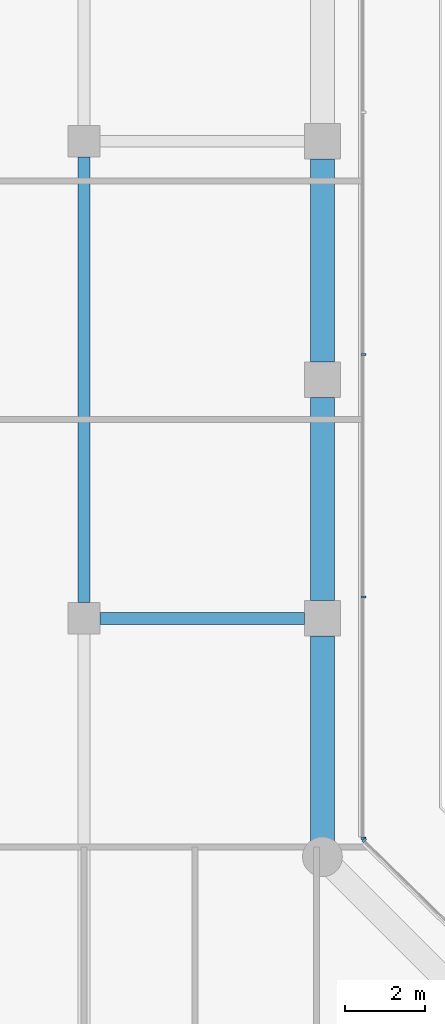
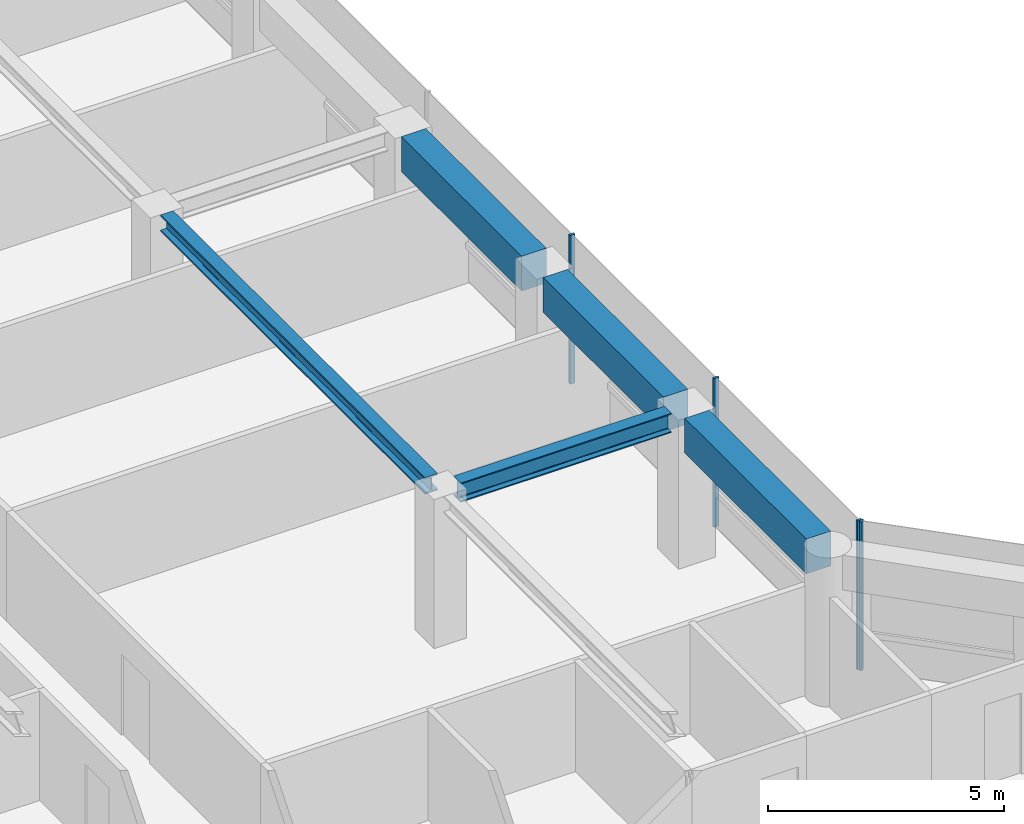
# One storey, part 9 of 21: 5 beams, 4 members, 2 elements without a shape of their own.
"""IFC4 building model written with IfcOpenShell, lengths in metres."""

import ifcopenshell
import ifcopenshell.guid

model = None  # the IFC model being written
_history = None  # IfcOwnerHistory: only IFC2X3 demands one
_inside = {}  # id of a spatial element -> (the spatial element, [elements in it])
_under = {}  # id of a project, library or spatial element -> (it, [spatial elements below it])
_declared = {}  # id of a project -> (the project, [libraries it declares])
_typed = {}  # id of a type object -> (the type object, [elements of that type])
_made_of = {}  # id of a material, layer set ... -> (it, [elements and type objects made of it])


def new_model(schema):
    """Start an empty IFC model of exactly this schema.

    Asked for "IFC4X3", IfcOpenShell would pick the latest addendum, in which some entities
    have other attributes; the version numbers below select the first issue.
    IFC2X3 requires an IfcOwnerHistory on every rooted entity: one is made here for all.
    """
    global model, _history
    if schema == "IFC4X3":
        model = ifcopenshell.file(schema_version=(4, 3, 0, 0))
    else:
        model = ifcopenshell.file(schema=schema)
    _inside.clear()
    _under.clear()
    _declared.clear()
    _typed.clear()
    _made_of.clear()
    _history = None
    if model.schema == "IFC2X3":
        org = make("IfcOrganization", Name="unknown")
        user = make(
            "IfcPersonAndOrganization",
            ThePerson=make("IfcPerson", FamilyName="unknown"),
            TheOrganization=org,
        )
        app = make(
            "IfcApplication",
            ApplicationDeveloper=org,
            Version="unknown",
            ApplicationFullName="unknown",
            ApplicationIdentifier="unknown",
        )
        _history = make(
            "IfcOwnerHistory",
            OwningUser=user,
            OwningApplication=app,
            ChangeAction="ADDED",
            CreationDate=0,
        )
    return model


def make(cls, **values):
    """One entity of the class cls with the attributes given. An attribute that is None is left unset."""
    return model.create_entity(
        cls, **{name: value for name, value in values.items() if value is not None}
    )


def rooted(cls, **values):
    """An entity with a GlobalId (a new one), such as an element, a storey or a relation."""
    return make(cls, GlobalId=ifcopenshell.guid.new(), OwnerHistory=_history, **values)


def si_unit(unit_type, name, prefix=None):
    """IfcSIUnit, for example si_unit("LENGTHUNIT", "METRE", prefix="MILLI")."""
    return make("IfcSIUnit", UnitType=unit_type, Prefix=prefix, Name=name)


def assignment(units):
    """IfcUnitAssignment: the units of a project."""
    return None if units is None else make("IfcUnitAssignment", Units=units)


def point(xyz):
    """IfcCartesianPoint."""
    return None if xyz is None else make("IfcCartesianPoint", Coordinates=xyz)


def direction(xyz):
    """IfcDirection."""
    return None if xyz is None else make("IfcDirection", DirectionRatios=xyz)


def frame(location, z_axis=None, x_axis=None):
    """IfcAxis2Placement3D, a coordinate frame: its origin and axes. An axis left out is left unset."""
    return make(
        "IfcAxis2Placement3D",
        Location=point(location),
        Axis=direction(z_axis),
        RefDirection=direction(x_axis),
    )


def frame_2d(location, x_axis=None):
    """IfcAxis2Placement2D, a coordinate frame in the plane: its origin and x axis."""
    return make(
        "IfcAxis2Placement2D", Location=point(location), RefDirection=direction(x_axis)
    )


def origin():
    """The frame at (0, 0, 0) with its axes left unset."""
    return frame((0.0, 0.0, 0.0))


def origin_2d():
    """The frame at (0, 0) in the plane with its x axis left unset."""
    return frame_2d((0.0, 0.0))


def place(relative_to, where):
    """IfcLocalPlacement: puts the frame where relative to a parent placement (None: the world)."""
    return make(
        "IfcLocalPlacement", PlacementRelTo=relative_to, RelativePlacement=where
    )


def context(
    kind, dimensions, precision=None, world=None, true_north=None, identifier=None
):
    """IfcGeometricRepresentationContext, for example the 3D "Model" context."""
    return make(
        "IfcGeometricRepresentationContext",
        ContextIdentifier=identifier,
        ContextType=kind,
        CoordinateSpaceDimension=dimensions,
        Precision=precision,
        WorldCoordinateSystem=world,
        TrueNorth=true_north,
    )


def subcontext(parent, identifier, kind, view, scale=None):
    """IfcGeometricRepresentationSubContext, for example "Body" below "Model"."""
    return make(
        "IfcGeometricRepresentationSubContext",
        ContextIdentifier=identifier,
        ContextType=kind,
        ParentContext=parent,
        TargetScale=scale,
        TargetView=view,
    )


def project(units=None, contexts=None):
    """IfcProject with its units and contexts."""
    return rooted(
        "IfcProject",
        Name="project",
        RepresentationContexts=contexts,
        UnitsInContext=assignment(units),
    )


def spatial(cls, under=None, at=None, **own):
    """A site, building, storey or space (cls), placed at a placement, below another one or the project."""
    s = rooted(cls, ObjectPlacement=at, **own)
    if under is not None:
        _under.setdefault(under.id(), (under, []))[1].append(s)
    return s


def profile(cls, at=None, kind="AREA", **sizes):
    """A parametric profile (cls). Its sizes go by their IFC names, for example OverallWidth=200.0."""
    return make(cls, ProfileType=kind, Position=at, **sizes)


def rectangle(**sizes):
    """IfcRectangleProfileDef."""
    return profile("IfcRectangleProfileDef", **sizes)


def i_section(**sizes):
    """IfcIShapeProfileDef."""
    return profile("IfcIShapeProfileDef", **sizes)


def extrude(swept, where, along, depth):
    """IfcExtrudedAreaSolid: the profile swept, set in the frame where, extruded along a direction by depth."""
    return make(
        "IfcExtrudedAreaSolid",
        SweptArea=swept,
        Position=where,
        ExtrudedDirection=direction(along),
        Depth=depth,
    )


def shape(context_of_items, identifier, shape_type, items):
    """IfcShapeRepresentation: the items that make up one representation, for example the "Body"."""
    return make(
        "IfcShapeRepresentation",
        ContextOfItems=context_of_items,
        RepresentationIdentifier=identifier,
        RepresentationType=shape_type,
        Items=items,
    )


def material(Name=None, Category=None):
    """IfcMaterial."""
    return make("IfcMaterial", Name=Name, Category=Category)


def layer(
    of_material, thickness, ventilated=None, Name=None, Category=None, Priority=None
):
    """IfcMaterialLayer: one layer of a wall or slab, of a material (None: an air gap)."""
    return make(
        "IfcMaterialLayer",
        Material=of_material,
        LayerThickness=thickness,
        IsVentilated=ventilated,
        Name=Name,
        Category=Category,
        Priority=Priority,
    )


def layer_set(layers, Name=None):
    """IfcMaterialLayerSet."""
    return make("IfcMaterialLayerSet", MaterialLayers=layers, LayerSetName=Name)


def material_profile(
    of_material, cross_section, Name=None, Category=None, Priority=None
):
    """IfcMaterialProfile: a cross section and its material."""
    return make(
        "IfcMaterialProfile",
        Name=Name,
        Material=of_material,
        Profile=cross_section,
        Priority=Priority,
        Category=Category,
    )


def profile_set(profiles, Name=None, composite=None):
    """IfcMaterialProfileSet."""
    return make(
        "IfcMaterialProfileSet",
        Name=Name,
        MaterialProfiles=profiles,
        CompositeProfile=composite,
    )


def made_of(thing, what):
    """Note that an element or type object is made of a material, layer set ...; save() writes the relation."""
    if what is not None:
        _made_of.setdefault(what.id(), (what, []))[1].append(thing)
    return thing


def type_object(cls, material=None, **own):
    """A type object (cls), such as IfcWallType, which elements share."""
    return made_of(rooted(cls, **own), material)


def element(
    cls,
    number,
    at=None,
    inside=None,
    cuts=None,
    type_object=None,
    material=None,
    context=None,
    identifier="Body",
    shape_type=None,
    held_by="IfcProductDefinitionShape",
    body=None,
    shapes=None,
    **own,
):
    """One element of the class cls, such as IfcWall. Its Tag is "e" and its number.

    at: its placement. inside: the storey or other place that contains it. cuts: it is an
    opening in that element (IfcRelVoidsElement). A single representation is given by context,
    identifier, shape_type and body (its items); several are given by shapes. held_by: the class
    of the entity that holds the representations. save() writes the other relations.
    """
    e = rooted(cls, Tag="e%d" % number, ObjectPlacement=at, **own)
    if body is not None:
        shapes = [shape(context, identifier, shape_type, body)]
    if shapes is not None:
        e.Representation = make(held_by, Representations=shapes)
    if inside is not None:
        _inside.setdefault(inside.id(), (inside, []))[1].append(e)
    if cuts is not None:
        rooted(
            "IfcRelVoidsElement", RelatingBuildingElement=cuts, RelatedOpeningElement=e
        )
    if type_object is not None:
        _typed.setdefault(type_object.id(), (type_object, []))[1].append(e)
    return made_of(e, material)


def aggregate(whole, parts):
    """IfcRelAggregates: a whole, such as a stair, and the parts it consists of."""
    return rooted("IfcRelAggregates", RelatingObject=whole, RelatedObjects=parts)


def save(model, path):
    """Write the relations noted so far, then the file.

    IfcRelAggregates (storeys below a building ...), IfcRelContainedInSpatialStructure (elements
    in a storey), IfcRelDefinesByType, IfcRelAssociatesMaterial and IfcRelDeclares: one each for
    every whole, place, type object, material and project.
    """
    for whole, parts in _under.values():
        aggregate(whole, parts)
    for where, things in _inside.values():
        rooted(
            "IfcRelContainedInSpatialStructure",
            RelatedElements=things,
            RelatingStructure=where,
        )
    for kind, things in _typed.values():
        rooted("IfcRelDefinesByType", RelatedObjects=things, RelatingType=kind)
    for what, things in _made_of.values():
        rooted("IfcRelAssociatesMaterial", RelatedObjects=things, RelatingMaterial=what)
    for by, libraries in _declared.values():
        rooted("IfcRelDeclares", RelatingContext=by, RelatedDefinitions=libraries)
    model.write(path)


model = new_model("IFC4")

# Units and contexts
model_context = context("Model", 3, precision=1e-05, world=origin(), true_north=direction((0.0, 1.0)))
body_context = subcontext(model_context, "Body", "Model", "MODEL_VIEW")
ifc_project = project(units=[si_unit("LENGTHUNIT", "METRE"), si_unit("AREAUNIT", "SQUARE_METRE"), si_unit("VOLUMEUNIT", "CUBIC_METRE"), si_unit("PLANEANGLEUNIT", "RADIAN"), si_unit("MASSUNIT", "GRAM", prefix="KILO")], contexts=[model_context])

# Site, building, storey
site_placement = place(None, origin())
site = spatial("IfcSite", under=ifc_project, at=site_placement, CompositionType="ELEMENT")
building_placement = place(site_placement, origin())
building = spatial("IfcBuilding", under=site, at=building_placement, Name="Welwitschia Terrace Campus", CompositionType="ELEMENT")
storey_placement = place(building_placement, frame((0.0, 0.0, 108.800048828125)))
storey = spatial("IfcBuildingStorey", under=building, at=storey_placement, Name="L24", CompositionType="ELEMENT", Elevation=108.800048828125)

# Beam
ifc_material_1 = material(Name="Steel S355", Category="steel")
ifc_material_profile_1 = material_profile(ifc_material_1, i_section(OverallWidth=0.306884765625, OverallDepth=0.431884765625, WebThickness=0.02099609375, FlangeThickness=0.0400390625, FilletRadius=0.027099609375, at=origin_2d()))
ifc_profile_set_1 = profile_set([ifc_material_profile_1], Name="Steel S355")
beam_type_1 = type_object("IfcBeamType", Name="Interior girder HE 400 M", PredefinedType="BEAM", material=ifc_profile_set_1)
beam_1_placement = place(storey_placement, frame((18.0, 40.400390625, 3.634033203125), z_axis=(0.0, 1.0, 0.0), x_axis=(-1.0, 0.0, 0.0)))
element("IfcBeam", 1, at=beam_1_placement, inside=storey, type_object=beam_type_1, Name="Girder GB3", PredefinedType="BEAM", context=body_context, shape_type="SweptSolid", body=[
    extrude(i_section(OverallWidth=0.306884765625, OverallDepth=0.431884765625, WebThickness=0.02099609375, FlangeThickness=0.0400390625, FilletRadius=0.027099609375, at=origin_2d()), origin(), (0.0, 0.0, 1.0), 11.19921875),
])

# Curtain wall, member
ifc_material_2 = material(Name="Bronze anodised aluminium", Category="aluminium")
ifc_layer = layer(ifc_material_2, 0.1201171875)
ifc_layer_set = layer_set([ifc_layer], Name="Bronze anodised aluminium")
curtain_wall_type = type_object("IfcCurtainWallType", Name="Curtain wall CW2 tower 6000", PredefinedType="NOTDEFINED", material=ifc_layer_set)
curtain_wall_1_placement = place(storey_placement, origin())
curtain_wall_1 = element("IfcCurtainWall", 2, at=curtain_wall_1_placement, inside=storey, type_object=curtain_wall_type, Name="CW L24.9.0", PredefinedType="NOTDEFINED")
ifc_material_3 = material(Name="Bronze anodised aluminium", Category="aluminium")
ifc_material_profile_2 = material_profile(ifc_material_3, rectangle(XDim=0.1201171875, YDim=0.06005859375, at=origin_2d()))
ifc_profile_set_2 = profile_set([ifc_material_profile_2], Name="Bronze anodised aluminium")
member_type = type_object("IfcMemberType", Name="Mullion 60x120", PredefinedType="MULLION", material=ifc_profile_set_2)
member_1_placement = place(storey_placement, frame((25.051513671875, 34.415283203125, 0.0), z_axis=(0.0, 0.0, 1.0), x_axis=(-0.7009092643, -0.713250449154, 0.0)))
member_1 = element("IfcMember", 3, at=member_1_placement, type_object=member_type, Name="Mullion L24.9.0.1", PredefinedType="MULLION", context=body_context, shape_type="SweptSolid", body=[
    extrude(rectangle(XDim=0.1201171875, YDim=0.06005859375, at=origin_2d()), origin(), (0.0, 0.0, 1.0), 3.849853515625),
])
aggregate(curtain_wall_1, [member_1])

# Curtain wall, members
curtain_wall_2_placement = place(storey_placement, origin())
curtain_wall_2 = element("IfcCurtainWall", 4, at=curtain_wall_2_placement, inside=storey, type_object=curtain_wall_type, Name="CW L24.10.0", PredefinedType="NOTDEFINED")
member_2_placement = place(storey_placement, frame((25.030029296875, 34.46630859375, 0.0), z_axis=(0.0, 0.0, 1.0), x_axis=(-1.0, 0.0, 0.0)))
member_2 = element("IfcMember", 5, at=member_2_placement, type_object=member_type, Name="Mullion L24.10.0.0", PredefinedType="MULLION", context=body_context, shape_type="SweptSolid", body=[
    extrude(rectangle(XDim=0.1201171875, YDim=0.06005859375, at=origin_2d()), origin(), (0.0, 0.0, 1.0), 3.849853515625),
])
member_3_placement = place(storey_placement, frame((25.030029296875, 40.535400390625, 0.0), z_axis=(0.0, 0.0, 1.0), x_axis=(-1.0, 0.0, 0.0)))
member_3 = element("IfcMember", 6, at=member_3_placement, type_object=member_type, Name="Mullion L24.10.0.1", PredefinedType="MULLION", context=body_context, shape_type="SweptSolid", body=[
    extrude(rectangle(XDim=0.1201171875, YDim=0.06005859375, at=origin_2d()), origin(), (0.0, 0.0, 1.0), 3.849853515625),
])
member_4_placement = place(storey_placement, frame((25.030029296875, 46.63427734375, 0.0), z_axis=(0.0, 0.0, 1.0), x_axis=(-1.0, 0.0, 0.0)))
member_4 = element("IfcMember", 7, at=member_4_placement, type_object=member_type, Name="Mullion L24.10.0.2", PredefinedType="MULLION", context=body_context, shape_type="SweptSolid", body=[
    extrude(rectangle(XDim=0.1201171875, YDim=0.06005859375, at=origin_2d()), origin(), (0.0, 0.0, 1.0), 3.849853515625),
])
aggregate(curtain_wall_2, [member_2, member_3, member_4])

# Beams
ifc_material_4 = material(Name="Steel S355", Category="steel")
ifc_material_profile_3 = material_profile(ifc_material_4, i_section(OverallWidth=0.300048828125, OverallDepth=0.5, WebThickness=0.014404296875, FlangeThickness=0.028076171875, FilletRadius=0.027099609375, at=origin_2d()))
ifc_profile_set_3 = profile_set([ifc_material_profile_3], Name="Steel S355")
beam_type_2 = type_object("IfcBeamType", Name="Primary beam HE 500 B", PredefinedType="BEAM", material=ifc_profile_set_3)
beam_2_placement = place(storey_placement, frame((23.549560546875, 40.0, 3.599853515625), z_axis=(-1.0, 0.0, 0.0), x_axis=(0.0, -1.0, 0.0)))
element("IfcBeam", 8, at=beam_2_placement, inside=storey, type_object=beam_type_2, Name="Primary beam PB3", PredefinedType="BEAM", context=body_context, shape_type="SweptSolid", body=[
    extrude(i_section(OverallWidth=0.300048828125, OverallDepth=0.5, WebThickness=0.014404296875, FlangeThickness=0.028076171875, FilletRadius=0.027099609375, at=origin_2d()), origin(), (0.0, 0.0, 1.0), 5.149169921875),
])
ifc_material_5 = material(Name="Concrete C60/75", Category="concrete")
ifc_material_profile_4 = material_profile(ifc_material_5, rectangle(XDim=0.60009765625, YDim=0.89990234375, at=origin_2d()))
ifc_profile_set_4 = profile_set([ifc_material_profile_4], Name="Concrete C60/75")
beam_type_3 = type_object("IfcBeamType", Name="Ring spandrel 600x900", PredefinedType="SPANDREL", material=ifc_profile_set_4)
beam_3_placement = place(storey_placement, frame((24.0, 34.400390625, 3.39990234375), z_axis=(0.0, 1.0, 0.0), x_axis=(-1.0, 0.0, 0.0)))
element("IfcBeam", 9, at=beam_3_placement, inside=storey, type_object=beam_type_3, Name="Spandrel SP2", PredefinedType="SPANDREL", context=body_context, shape_type="SweptSolid", body=[
    extrude(rectangle(XDim=0.60009765625, YDim=0.89990234375, at=origin_2d()), origin(), (0.0, 0.0, 1.0), 5.149169921875),
])
for number, where, z_axis, x_axis, name in (
    (10, (24.0, 40.450439453125, 3.39990234375), (0.0, 1.0, 0.0), (-1.0, 0.0, 0.0), "Spandrel SP2"),
    (11, (24.0, 46.450439453125, 3.39990234375), (0.0, 1.0, 0.0), (-1.0, 0.0, 0.0), "Spandrel SP2"),
):
    element("IfcBeam", number, at=place(storey_placement, frame(where, z_axis=z_axis, x_axis=x_axis)), inside=storey, type_object=beam_type_3, Name=name, PredefinedType="SPANDREL", context=body_context, shape_type="SweptSolid", body=[
        extrude(rectangle(XDim=0.60009765625, YDim=0.89990234375, at=origin_2d()), origin(), (0.0, 0.0, 1.0), 5.09912109375),
    ])

save(model, "model.ifc")
